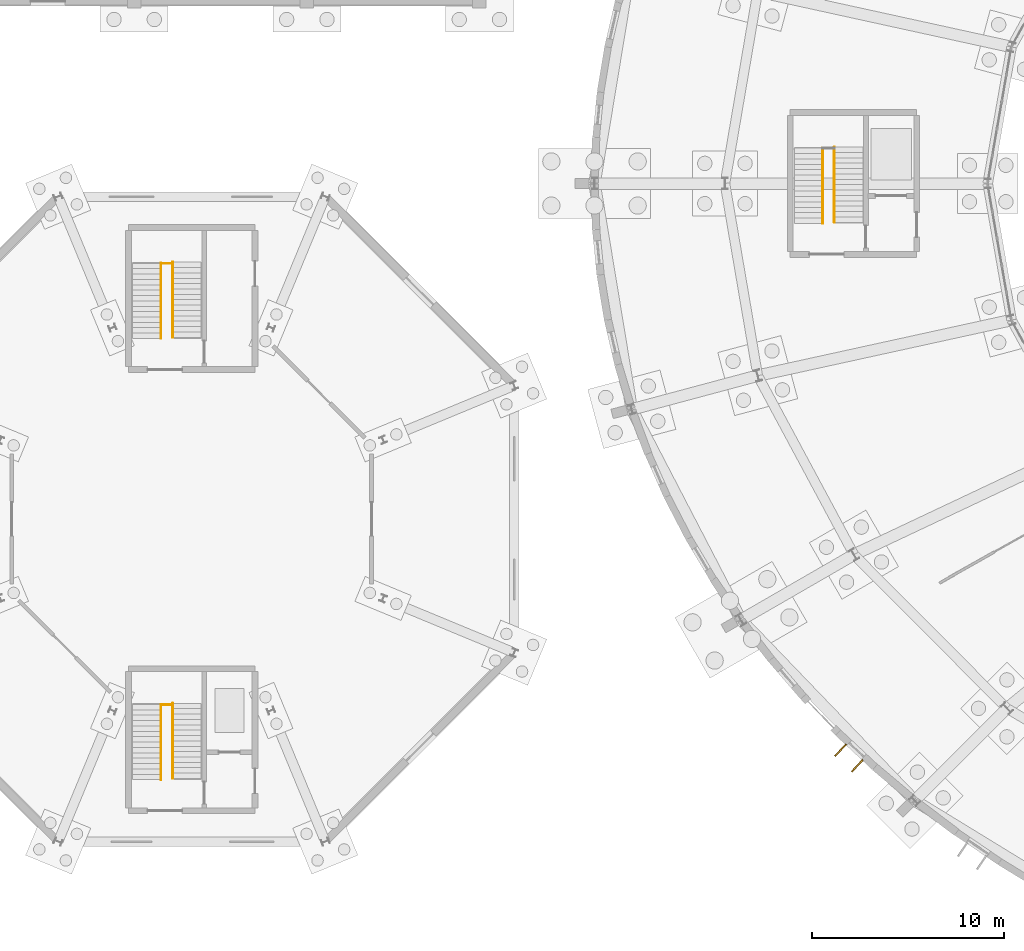
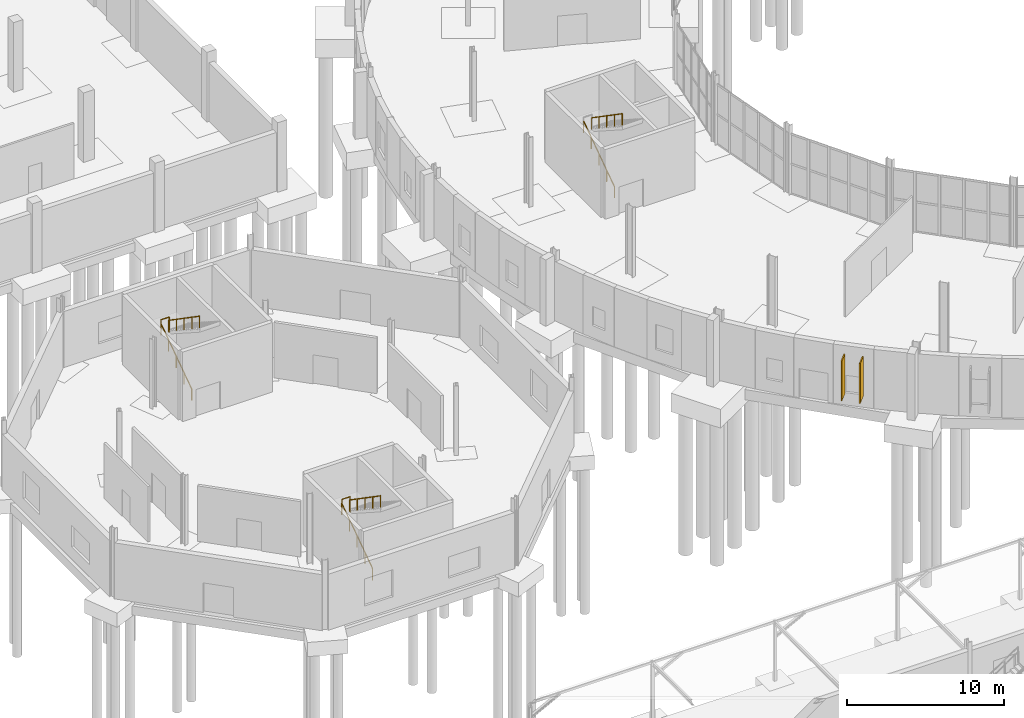
# One storey, part 107 of 118: 8 railings, 2 shading devices.
"""IFC4 building model written with IfcOpenShell, lengths in metres."""

from ifc_helpers import new_model, si_unit, direction, frame, origin, origin_2d, place, context, subcontext, project, spatial, rectangle, circle, extrude, material, layer, layer_set, type_object, element, save


model = new_model("IFC4")

# Units and contexts
model_context = context("Model", 3, precision=1e-05, world=origin(), true_north=direction((0.0, 1.0)))
body_context = subcontext(model_context, "Body", "Model", "MODEL_VIEW")
ifc_project = project(units=[si_unit("LENGTHUNIT", "METRE"), si_unit("AREAUNIT", "SQUARE_METRE"), si_unit("VOLUMEUNIT", "CUBIC_METRE"), si_unit("PLANEANGLEUNIT", "RADIAN"), si_unit("MASSUNIT", "GRAM", prefix="KILO")], contexts=[model_context])

# Site, building, storey
site_placement = place(None, origin())
site = spatial("IfcSite", under=ifc_project, at=site_placement, CompositionType="ELEMENT")
building_placement = place(site_placement, origin())
building = spatial("IfcBuilding", under=site, at=building_placement, Name="Kildeholm Park Wholesale Market", CompositionType="ELEMENT")
storey_placement = place(building_placement, origin())
storey = spatial("IfcBuildingStorey", under=building, at=storey_placement, Name="L00", CompositionType="ELEMENT", Elevation=0.0)

# Shading devices
ifc_material_1 = material(Name="Glazed ceramic and anodised aluminium brise-soleil", Category="aluminium")
ifc_layer = layer(ifc_material_1, 0.080078125)
ifc_layer_set = layer_set([ifc_layer], Name="Glazed ceramic and anodised aluminium brise-soleil")
shading_device_type = type_object("IfcShadingDeviceType", Name="Brise-soleil solar fin SH-FIN1 850x80", PredefinedType="USERDEFINED", material=ifc_layer_set)
for number, where, z_axis, x_axis, name in (
    (1, (54.8251953125, 59.9580078125, 0.849853515625), (0.0, 0.0, 1.0), (-0.68319730752, -0.730233824879, 0.0), "Brise-soleil fin V1-14-3.1 SHD-0017"),
    (2, (55.701416015625, 59.137939453125, 0.849853515625), (0.0, 0.0, 1.0), (-0.68319730752, -0.730233824879, 0.0), "Brise-soleil fin V1-14-3.2 SHD-0018"),
):
    element("IfcShadingDevice", number, at=place(storey_placement, frame(where, z_axis=z_axis, x_axis=x_axis)), inside=storey, type_object=shading_device_type, Name=name, ObjectType="SOLAR FIN", PredefinedType="USERDEFINED", context=body_context, shape_type="SweptSolid", body=[
        extrude(rectangle(XDim=0.85009765625, YDim=0.080078125, at=origin_2d()), origin(), (0.0, 0.0, 1.0), 3.10009765625),
    ])

# Railings
ifc_material_2 = material(Name="Painted steel and laminated glass balustrade", Category="steel")
railing_type_1 = type_object("IfcRailingType", Name="Interior gallery and stairwell guard GR-IN1 1200 mm", PredefinedType="GUARDRAIL", material=ifc_material_2)
for number, where, name in (
    (3, (19.39990234375, 62.330078125, 2.699951171875), "Stair C14 half-landing well guard L00 RLG-0146"),
    (4, (19.39990234375, 85.330078125, 2.699951171875), "Stair C15 half-landing well guard L00 RLG-0150"),
):
    element("IfcRailing", number, at=place(storey_placement, frame(where)), inside=storey, type_object=railing_type_1, Name=name, PredefinedType="GUARDRAIL", context=body_context, shape_type="SweptSolid", body=[
        extrude(circle(Radius=0.02392578125, at=origin_2d()), frame((0.0, 0.0, 1.17578125), z_axis=(1.0, 0.0, 0.0), x_axis=(0.0, 1.0, 0.0)), (0.0, 0.0, 1.0), 0.610107421875),
        extrude(circle(Radius=0.02099609375, at=origin_2d()), origin(), (0.0, 0.0, 1.0), 1.15185546875),
        extrude(circle(Radius=0.02099609375, at=origin_2d()), frame((0.610107421875, 0.0, 0.0)), (0.0, 0.0, 1.0), 1.15185546875),
    ])
ifc_material_3 = material(Name="Stainless steel AISI 316 handrail", Category="steel")
railing_type_2 = type_object("IfcRailingType", Name="Stair flight handrail HR-IN1 900 mm", PredefinedType="HANDRAIL", material=ifc_material_3)
railing_1_placement = place(storey_placement, frame((53.89990234375, 87.419921875, 0.0)))
element("IfcRailing", 5, at=railing_1_placement, inside=storey, type_object=railing_type_2, Name="Stair C09 flight 1 handrail L00 RLG-0108", PredefinedType="HANDRAIL", context=body_context, shape_type="SweptSolid", body=[
    extrude(circle(Radius=0.02392578125, at=origin_2d()), frame((0.0, 0.0, 0.8759765625), z_axis=(0.0, 0.823567234665, 0.567218661528), x_axis=(-1.0, 0.0, 0.0)), (0.0, 0.0, 1.0), 4.760009765625),
    extrude(circle(Radius=0.02099609375, at=origin_2d()), origin(), (0.0, 0.0, 1.0), 0.851806640625),
    extrude(circle(Radius=0.02099609375, at=origin_2d()), frame((0.0, 0.97998046875, 0.675048828125)), (0.0, 0.0, 1.0), 0.851806640625),
    extrude(circle(Radius=0.02099609375, at=origin_2d()), frame((0.0, 1.9599609375, 1.35009765625)), (0.0, 0.0, 1.0), 0.851806640625),
    extrude(circle(Radius=0.02099609375, at=origin_2d()), frame((0.0, 2.940185546875, 2.02490234375)), (0.0, 0.0, 1.0), 0.851806640625),
    extrude(circle(Radius=0.02099609375, at=origin_2d()), frame((0.0, 3.920166015625, 2.699951171875)), (0.0, 0.0, 1.0), 0.851806640625),
])
railing_2_placement = place(storey_placement, frame((54.510009765625, 91.39990234375, 2.699951171875)))
element("IfcRailing", 6, at=railing_2_placement, inside=storey, type_object=railing_type_2, Name="Stair C09 flight 2 handrail L00 RLG-0109", PredefinedType="HANDRAIL", context=body_context, shape_type="SweptSolid", body=[
    extrude(circle(Radius=0.02392578125, at=origin_2d()), frame((0.0, 0.0, 0.8759765625), z_axis=(0.0, -0.823550731654, 0.567242622158), x_axis=(1.0, 0.0, 0.0)), (0.0, 0.0, 1.0), 4.759765625),
    extrude(circle(Radius=0.02099609375, at=origin_2d()), origin(), (0.0, 0.0, 1.0), 0.851806640625),
    extrude(circle(Radius=0.02099609375, at=origin_2d()), frame((0.0, -0.97998046875, 0.675048828125)), (0.0, 0.0, 1.0), 0.851806640625),
    extrude(circle(Radius=0.02099609375, at=origin_2d()), frame((0.0, -1.9599609375, 1.35009765625)), (0.0, 0.0, 1.0), 0.851806640625),
    extrude(circle(Radius=0.02099609375, at=origin_2d()), frame((0.0, -2.93994140625, 2.02490234375)), (0.0, 0.0, 1.0), 0.851806640625),
    extrude(circle(Radius=0.02099609375, at=origin_2d()), frame((0.0, -3.919921875, 2.699951171875)), (0.0, 0.0, 1.0), 0.851806640625),
])
railing_3_placement = place(storey_placement, frame((19.39990234375, 58.419921875, 0.0)))
element("IfcRailing", 7, at=railing_3_placement, inside=storey, type_object=railing_type_2, Name="Stair C14 flight 1 handrail L00 RLG-0148", PredefinedType="HANDRAIL", context=body_context, shape_type="SweptSolid", body=[
    extrude(circle(Radius=0.02392578125, at=origin_2d()), frame((0.0, 0.0, 0.8759765625), z_axis=(0.0, 0.823567234665, 0.567218661528), x_axis=(-1.0, 0.0, 0.0)), (0.0, 0.0, 1.0), 4.760009765625),
    extrude(circle(Radius=0.02099609375, at=origin_2d()), origin(), (0.0, 0.0, 1.0), 0.851806640625),
    extrude(circle(Radius=0.02099609375, at=origin_2d()), frame((0.0, 0.97998046875, 0.675048828125)), (0.0, 0.0, 1.0), 0.851806640625),
    extrude(circle(Radius=0.02099609375, at=origin_2d()), frame((0.0, 1.9599609375, 1.35009765625)), (0.0, 0.0, 1.0), 0.851806640625),
    extrude(circle(Radius=0.02099609375, at=origin_2d()), frame((0.0, 2.940185546875, 2.02490234375)), (0.0, 0.0, 1.0), 0.851806640625),
    extrude(circle(Radius=0.02099609375, at=origin_2d()), frame((0.0, 3.920166015625, 2.699951171875)), (0.0, 0.0, 1.0), 0.851806640625),
])
railing_4_placement = place(storey_placement, frame((20.010009765625, 62.39990234375, 2.699951171875)))
element("IfcRailing", 8, at=railing_4_placement, inside=storey, type_object=railing_type_2, Name="Stair C14 flight 2 handrail L00 RLG-0149", PredefinedType="HANDRAIL", context=body_context, shape_type="SweptSolid", body=[
    extrude(circle(Radius=0.02392578125, at=origin_2d()), frame((0.0, 0.0, 0.8759765625), z_axis=(0.0, -0.823550731654, 0.567242622158), x_axis=(1.0, 0.0, 0.0)), (0.0, 0.0, 1.0), 4.759765625),
    extrude(circle(Radius=0.02099609375, at=origin_2d()), origin(), (0.0, 0.0, 1.0), 0.851806640625),
    extrude(circle(Radius=0.02099609375, at=origin_2d()), frame((0.0, -0.97998046875, 0.675048828125)), (0.0, 0.0, 1.0), 0.851806640625),
    extrude(circle(Radius=0.02099609375, at=origin_2d()), frame((0.0, -1.9599609375, 1.35009765625)), (0.0, 0.0, 1.0), 0.851806640625),
    extrude(circle(Radius=0.02099609375, at=origin_2d()), frame((0.0, -2.93994140625, 2.02490234375)), (0.0, 0.0, 1.0), 0.851806640625),
    extrude(circle(Radius=0.02099609375, at=origin_2d()), frame((0.0, -3.919921875, 2.699951171875)), (0.0, 0.0, 1.0), 0.851806640625),
])
railing_5_placement = place(storey_placement, frame((19.39990234375, 81.419921875, 0.0)))
element("IfcRailing", 9, at=railing_5_placement, inside=storey, type_object=railing_type_2, Name="Stair C15 flight 1 handrail L00 RLG-0152", PredefinedType="HANDRAIL", context=body_context, shape_type="SweptSolid", body=[
    extrude(circle(Radius=0.02392578125, at=origin_2d()), frame((0.0, 0.0, 0.8759765625), z_axis=(0.0, 0.823567234665, 0.567218661528), x_axis=(-1.0, 0.0, 0.0)), (0.0, 0.0, 1.0), 4.760009765625),
    extrude(circle(Radius=0.02099609375, at=origin_2d()), origin(), (0.0, 0.0, 1.0), 0.851806640625),
    extrude(circle(Radius=0.02099609375, at=origin_2d()), frame((0.0, 0.97998046875, 0.675048828125)), (0.0, 0.0, 1.0), 0.851806640625),
    extrude(circle(Radius=0.02099609375, at=origin_2d()), frame((0.0, 1.9599609375, 1.35009765625)), (0.0, 0.0, 1.0), 0.851806640625),
    extrude(circle(Radius=0.02099609375, at=origin_2d()), frame((0.0, 2.940185546875, 2.02490234375)), (0.0, 0.0, 1.0), 0.851806640625),
    extrude(circle(Radius=0.02099609375, at=origin_2d()), frame((0.0, 3.920166015625, 2.699951171875)), (0.0, 0.0, 1.0), 0.851806640625),
])
railing_6_placement = place(storey_placement, frame((20.010009765625, 85.39990234375, 2.699951171875)))
element("IfcRailing", 10, at=railing_6_placement, inside=storey, type_object=railing_type_2, Name="Stair C15 flight 2 handrail L00 RLG-0153", PredefinedType="HANDRAIL", context=body_context, shape_type="SweptSolid", body=[
    extrude(circle(Radius=0.02392578125, at=origin_2d()), frame((0.0, 0.0, 0.8759765625), z_axis=(0.0, -0.823550731654, 0.567242622158), x_axis=(1.0, 0.0, 0.0)), (0.0, 0.0, 1.0), 4.759765625),
    extrude(circle(Radius=0.02099609375, at=origin_2d()), origin(), (0.0, 0.0, 1.0), 0.851806640625),
    extrude(circle(Radius=0.02099609375, at=origin_2d()), frame((0.0, -0.97998046875, 0.675048828125)), (0.0, 0.0, 1.0), 0.851806640625),
    extrude(circle(Radius=0.02099609375, at=origin_2d()), frame((0.0, -1.9599609375, 1.35009765625)), (0.0, 0.0, 1.0), 0.851806640625),
    extrude(circle(Radius=0.02099609375, at=origin_2d()), frame((0.0, -2.93994140625, 2.02490234375)), (0.0, 0.0, 1.0), 0.851806640625),
    extrude(circle(Radius=0.02099609375, at=origin_2d()), frame((0.0, -3.919921875, 2.699951171875)), (0.0, 0.0, 1.0), 0.851806640625),
])

save(model, "model.ifc")
